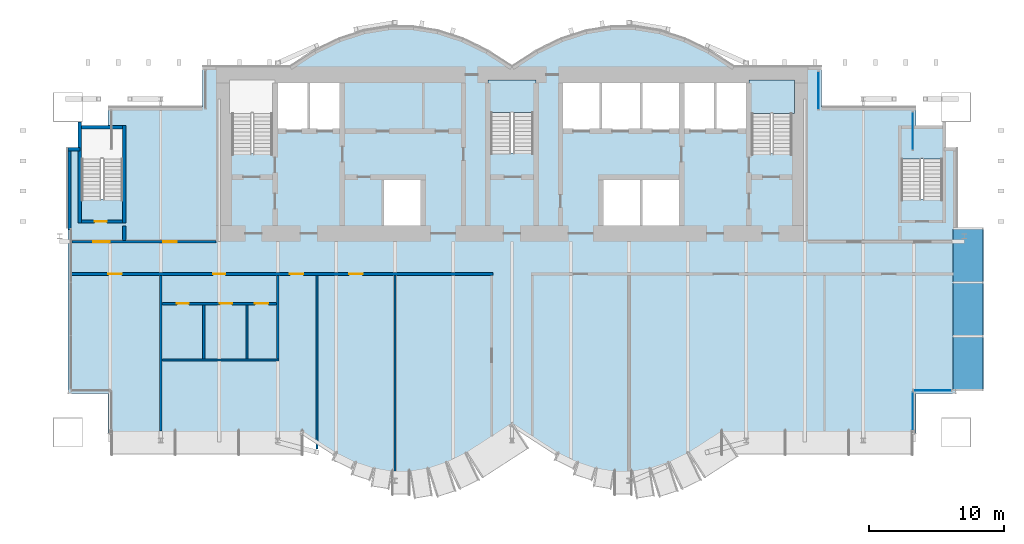
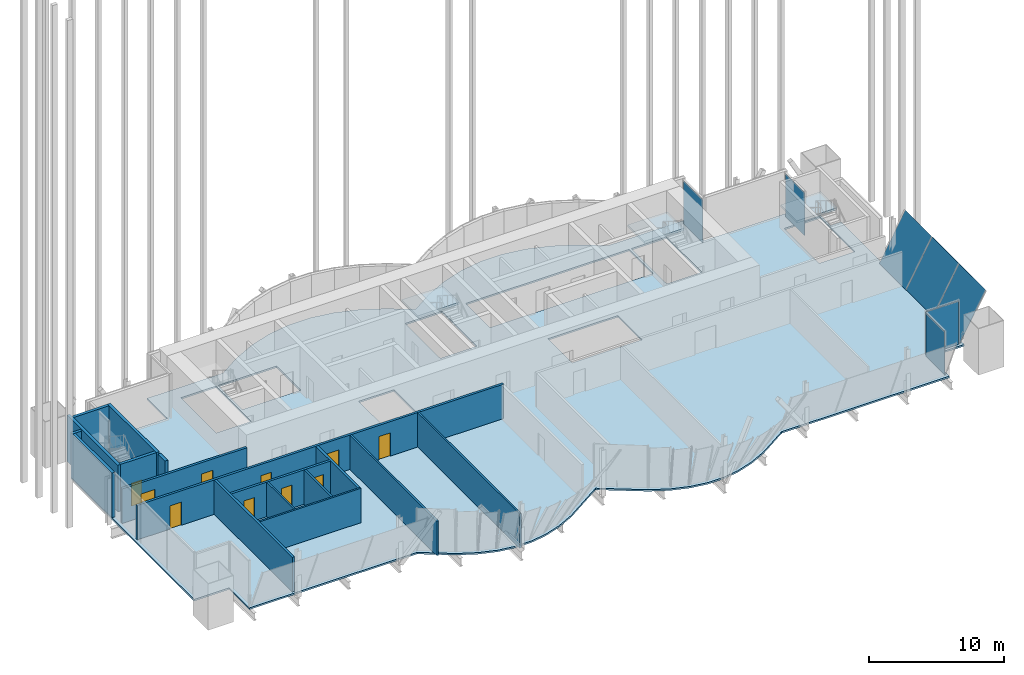
# One storey, part 23 of 28: 17 walls, 10 doors, 7 plates, 4 slabs, 10 openings, 8 elements without a shape of their own.
"""IFC4 building model written with IfcOpenShell, lengths in metres."""

from ifc_helpers import new_model, si_unit, direction, frame, frame_2d, origin, origin_2d, place, context, subcontext, project, spatial, polyline, rectangle, outline, extrude, material, layer, layer_set, layer_usage, type_object, element, fill, aggregate, save


model = new_model("IFC4")

# Units and contexts
model_context = context("Model", 3, precision=1e-05, world=origin(), true_north=direction((0.0, 1.0)))
body_context = subcontext(model_context, "Body", "Model", "MODEL_VIEW")
ifc_project = project(units=[si_unit("LENGTHUNIT", "METRE"), si_unit("AREAUNIT", "SQUARE_METRE"), si_unit("VOLUMEUNIT", "CUBIC_METRE"), si_unit("PLANEANGLEUNIT", "RADIAN"), si_unit("MASSUNIT", "GRAM", prefix="KILO")], contexts=[model_context])

# Site, building, storey
site_placement = place(None, origin())
site = spatial("IfcSite", under=ifc_project, at=site_placement, CompositionType="ELEMENT")
building_placement = place(site_placement, origin())
building = spatial("IfcBuilding", under=site, at=building_placement, Name="Bicima Exchange Tower", CompositionType="ELEMENT")
storey_placement = place(building_placement, frame((0.0, 0.0, 241.39990234375)))
storey = spatial("IfcBuildingStorey", under=building, at=storey_placement, Name="L54", CompositionType="ELEMENT", Elevation=241.39990234375)

# Slab
ifc_material_1 = material(Name="Concrete C40/50", Category="concrete")
ifc_layer_1 = layer(ifc_material_1, 0.14990234375)
ifc_layer_set_1 = layer_set([ifc_layer_1], Name="Concrete C40/50")
slab_type_1 = type_object("IfcSlabType", Name="Composite floor slab 150", PredefinedType="FLOOR", material=ifc_layer_set_1)
slab_1_placement = place(storey_placement, frame((0.0, 0.0, -0.14990234375)))
element("IfcSlab", 1, at=slab_1_placement, inside=storey, type_object=slab_type_1, Name="Floor slab", PredefinedType="FLOOR", context=body_context, shape_type="SweptSolid", body=[
    extrude(outline(polyline([(30.0, -27.2880859375), (15.61474609375, -27.2880859375), (13.1923828125, -28.85400390625), (11.712158203125, -29.57177734375), (10.295166015625, -30.02978515625), (8.92578125, -30.2509765625), (7.57421875, -30.2509765625), (6.204833984375, -30.02978515625), (4.787841796875, -29.57177734375), (3.3076171875, -28.85400390625), (0.0, -26.7158203125), (-3.3076171875, -28.85400390625), (-4.787841796875, -29.57177734375), (-6.204833984375, -30.02978515625), (-7.57421875, -30.2509765625), (-8.92578125, -30.2509765625), (-10.295166015625, -30.02978515625), (-11.712158203125, -29.57177734375), (-13.1923828125, -28.85400390625), (-15.61474609375, -27.2880859375), (-30.0, -27.2880859375), (-30.0, -24.2880859375), (-33.0, -24.2880859375), (-33.0, -6.0), (-32.10009765625, -6.0), (-32.10009765625, -4.5), (-30.0, -4.5), (-30.0, -3.0), (-23.0, -3.0), (-23.0, 0.0), (-16.5, 0.0), (-14.666748046875, 1.185302734375), (-12.833251953125, 2.07421875), (-11.0, 2.666748046875), (-9.166748046875, 2.962890625), (-7.333251953125, 2.962890625), (-5.5, 2.666748046875), (-3.666748046875, 2.07421875), (-1.833251953125, 1.185302734375), (0.0, 0.0), (1.833251953125, 1.185302734375), (3.666748046875, 2.07421875), (5.5, 2.666748046875), (7.333251953125, 2.962890625), (9.166748046875, 2.962890625), (11.0, 2.666748046875), (12.833251953125, 2.07421875), (14.666748046875, 1.185302734375), (16.5, 0.0), (23.0, 0.0), (23.0, -3.0), (30.0, -3.0), (30.0, -4.5), (32.10009765625, -4.5), (32.10009765625, -6.0), (33.0, -6.0), (33.0, -24.2880859375), (30.0, -24.2880859375), (30.0, -27.2880859375)]), holes=[polyline([(-6.60009765625, -11.800048828125), (-6.60009765625, -8.199951171875), (-9.60009765625, -8.199951171875), (-9.60009765625, -11.800048828125), (-6.60009765625, -11.800048828125)]), polyline([(-31.97509765625, -9.824951171875), (-28.925048828125, -9.824951171875), (-28.925048828125, -4.625), (-31.97509765625, -4.625), (-31.97509765625, -9.824951171875)]), polyline([(-20.800048828125, -6.449951171875), (-17.800048828125, -6.449951171875), (-17.800048828125, -1.199951171875), (-20.800048828125, -1.199951171875), (-20.800048828125, -6.449951171875)]), polyline([(-1.574951171875, -6.39990234375), (1.574951171875, -6.39990234375), (1.574951171875, -1.199951171875), (-1.574951171875, -1.199951171875), (-1.574951171875, -6.39990234375)]), polyline([(-17.60009765625, -1.199951171875), (-17.60009765625, -4.800048828125), (-15.10009765625, -4.800048828125), (-12.60009765625, -4.800048828125), (-12.60009765625, -1.199951171875), (-15.10009765625, -1.199951171875), (-17.60009765625, -1.199951171875)]), polyline([(3.60009765625, -4.800048828125), (6.60009765625, -4.800048828125), (9.60009765625, -4.800048828125), (12.60009765625, -4.800048828125), (15.10009765625, -4.800048828125), (17.60009765625, -4.800048828125), (17.60009765625, -1.199951171875), (15.10009765625, -1.199951171875), (12.60009765625, -1.199951171875), (9.60009765625, -1.199951171875), (6.60009765625, -1.199951171875), (3.60009765625, -1.199951171875), (3.60009765625, -4.800048828125)]), polyline([(6.60009765625, -8.199951171875), (6.60009765625, -11.800048828125), (9.60009765625, -11.800048828125), (12.60009765625, -11.800048828125), (12.60009765625, -8.199951171875), (9.60009765625, -8.199951171875), (6.60009765625, -8.199951171875)]), polyline([(28.925048828125, -9.824951171875), (31.97509765625, -9.824951171875), (31.97509765625, -4.625), (28.925048828125, -4.625), (28.925048828125, -9.824951171875)]), polyline([(17.800048828125, -6.449951171875), (20.800048828125, -6.449951171875), (20.800048828125, -1.199951171875), (17.800048828125, -1.199951171875), (17.800048828125, -6.449951171875)])]), origin(), (0.0, 0.0, 1.0), 0.14990234375),
])

# Curtain wall, plate
ifc_material_2 = material(Name="Anodised bronze aluminium", Category="aluminium")
curtain_wall_type = type_object("IfcCurtainWallType", Name="Front glass wall", PredefinedType="NOTDEFINED", material=ifc_material_2)
curtain_wall_1_placement = place(storey_placement, origin())
curtain_wall_1 = element("IfcCurtainWall", 2, at=curtain_wall_1_placement, inside=storey, type_object=curtain_wall_type, Name="Front glass wall L54 run 2", PredefinedType="NOTDEFINED")
ifc_material_3 = material(Name="Bronze tinted glass", Category="glass")
ifc_layer_2 = layer(ifc_material_3, 0.031982421875)
ifc_layer_set_2 = layer_set([ifc_layer_2], Name="Bronze tinted glass")
plate_type_1 = type_object("IfcPlateType", Name="Front glass wall glass panel 32", PredefinedType="CURTAIN_PANEL", material=ifc_layer_set_2)
plate_1_placement = place(storey_placement, frame((29.77001953125, -4.77001953125, 0.0), z_axis=(0.0, 0.0, 1.0), x_axis=(0.0, 1.0, 0.0)))
plate_1 = element("IfcPlate", 3, at=plate_1_placement, type_object=plate_type_1, Name="Front glass wall panel 1.1", PredefinedType="CURTAIN_PANEL", context=body_context, shape_type="SweptSolid", body=[
    extrude(rectangle(XDim=2.800048828125, YDim=0.031982421875, at=origin_2d()), origin(), (0.0, 0.0, 1.0), 3.909912109375),
])
aggregate(curtain_wall_1, [plate_1])

curtain_wall_2_placement = place(storey_placement, origin())
curtain_wall_2 = element("IfcCurtainWall", 4, at=curtain_wall_2_placement, inside=storey, type_object=curtain_wall_type, Name="Front glass wall L54 run 3", PredefinedType="NOTDEFINED")
plate_2_placement = place(storey_placement, frame((22.77001953125, -1.77001953125, 0.0), z_axis=(0.0, 0.0, 1.0), x_axis=(0.0, 1.0, 0.0)))
plate_2 = element("IfcPlate", 5, at=plate_2_placement, type_object=plate_type_1, Name="Front glass wall panel 1.1", PredefinedType="CURTAIN_PANEL", context=body_context, shape_type="SweptSolid", body=[
    extrude(rectangle(XDim=2.800048828125, YDim=0.031982421875, at=origin_2d()), origin(), (0.0, 0.0, 1.0), 3.909912109375),
])
aggregate(curtain_wall_2, [plate_2])

curtain_wall_3_placement = place(storey_placement, origin())
curtain_wall_3 = element("IfcCurtainWall", 6, at=curtain_wall_3_placement, inside=storey, type_object=curtain_wall_type, Name="Front glass wall L54 run 21", PredefinedType="NOTDEFINED")
plate_3_placement = place(storey_placement, frame((29.77001953125, -25.597900390625, 0.0), z_axis=(0.0, 0.0, 1.0), x_axis=(0.0, 1.0, 0.0)))
plate_3 = element("IfcPlate", 7, at=plate_3_placement, type_object=plate_type_1, Name="Front glass wall panel 1.1", PredefinedType="CURTAIN_PANEL", context=body_context, shape_type="SweptSolid", body=[
    extrude(rectangle(XDim=2.800048828125, YDim=0.031982421875, at=origin_2d()), origin(), (0.0, 0.0, 1.0), 3.909912109375),
])
aggregate(curtain_wall_3, [plate_3])

curtain_wall_4_placement = place(storey_placement, origin())
curtain_wall_4 = element("IfcCurtainWall", 8, at=curtain_wall_4_placement, inside=storey, type_object=curtain_wall_type, Name="Front glass wall L54 run 22", PredefinedType="NOTDEFINED")
plate_4_placement = place(storey_placement, frame((31.22998046875, -24.05810546875, 0.0), z_axis=(0.0, 0.0, 1.0), x_axis=(1.0, 0.0, 0.0)))
plate_4 = element("IfcPlate", 9, at=plate_4_placement, type_object=plate_type_1, Name="Front glass wall panel 1.1", PredefinedType="CURTAIN_PANEL", context=body_context, shape_type="SweptSolid", body=[
    extrude(rectangle(XDim=2.800048828125, YDim=0.031982421875, at=origin_2d()), origin(), (0.0, 0.0, 1.0), 3.909912109375),
])
aggregate(curtain_wall_4, [plate_4])

# Curtain wall, plates
curtain_wall_5_placement = place(storey_placement, origin())
curtain_wall_5 = element("IfcCurtainWall", 10, at=curtain_wall_5_placement, inside=storey, type_object=curtain_wall_type, Name="Canted glass wall L54 1.1", PredefinedType="NOTDEFINED")
ifc_material_4 = material(Name="Bronze anodised aluminium", Category="aluminium")
ifc_layer_3 = layer(ifc_material_4, 0.031982421875)
ifc_layer_set_3 = layer_set([ifc_layer_3], Name="Bronze anodised aluminium")
plate_type_2 = type_object("IfcPlateType", Name="Front glass wall spandrel panel 32", PredefinedType="CURTAIN_PANEL", material=ifc_layer_set_3)
plate_5_placement = place(storey_placement, frame((32.77001953125, -23.998046875, 0.0), z_axis=(-0.876660718455, 0.0, 0.481109119345), x_axis=(0.0, 1.0, 0.0)))
plate_5 = element("IfcPlate", 11, at=plate_5_placement, type_object=plate_type_2, Name="Canted glass panel 1", PredefinedType="CURTAIN_PANEL", context=body_context, shape_type="SweptSolid", body=[
    extrude(outline(polyline([(0.0, 0.0), (3.939453125, 0.0), (3.939453125, -4.61985890648846), (0.0, -4.61985890648846), (0.0, 0.0)])), origin(), (0.0, 0.0, -1.0), 0.031982421875),
])
plate_6_placement = place(storey_placement, frame((32.77001953125, -19.998779296875, 0.0), z_axis=(-0.876660718455, 0.0, 0.481109119345), x_axis=(0.0, 1.0, 0.0)))
plate_6 = element("IfcPlate", 12, at=plate_6_placement, type_object=plate_type_2, Name="Canted glass panel 2", PredefinedType="CURTAIN_PANEL", context=body_context, shape_type="SweptSolid", body=[
    extrude(outline(polyline([(0.0, 0.0), (3.939453125, 0.0), (3.939453125, -4.61985890648846), (0.0, -4.61985890648846), (0.0, 0.0)])), origin(), (0.0, 0.0, -1.0), 0.031982421875),
])
plate_7_placement = place(storey_placement, frame((32.77001953125, -15.999267578125, 0.0), z_axis=(-0.876660718455, 0.0, 0.481109119345), x_axis=(0.0, 1.0, 0.0)))
plate_7 = element("IfcPlate", 13, at=plate_7_placement, type_object=plate_type_2, Name="Canted glass panel 3", PredefinedType="CURTAIN_PANEL", context=body_context, shape_type="SweptSolid", body=[
    extrude(outline(polyline([(0.0, 0.0), (3.939208984375, 0.0), (3.939208984375, -4.61985890648846), (0.0, -4.61985890648846), (0.0, 0.0)])), origin(), (0.0, 0.0, -1.0), 0.031982421875),
])
aggregate(curtain_wall_5, [plate_5, plate_6, plate_7])

# Stair, slab
ifc_material_5 = material(Name="Concrete C50/60", Category="concrete")
stair_type_1 = type_object("IfcStairType", Name="Exit stair 1500", PredefinedType="HALF_TURN_STAIR", material=ifc_material_5)
stair_1_placement = place(storey_placement, origin())
stair_1 = element("IfcStair", 14, at=stair_1_placement, inside=storey, type_object=stair_type_1, Name="L54 Central exit stair", PredefinedType="HALF_TURN_STAIR")
ifc_layer_4 = layer(ifc_material_5, 0.199951171875)
ifc_layer_set_4 = layer_set([ifc_layer_4], Name="Concrete C50/60")
slab_type_2 = type_object("IfcSlabType", Name="Stair landing slab", PredefinedType="LANDING", material=ifc_layer_set_4)
slab_2_placement = place(storey_placement, frame((0.0, 0.0, 1.900146484375)))
slab_2 = element("IfcSlab", 15, at=slab_2_placement, type_object=slab_type_2, Name="ST-C landing 1", PredefinedType="LANDING", context=body_context, shape_type="SweptSolid", body=[
    extrude(outline(polyline([(1.77490234375, -3.419921875), (1.77490234375, -1.0), (-1.77490234375, -1.0), (-1.77490234375, -3.419921875), (1.77490234375, -3.419921875)])), origin(), (0.0, 0.0, 1.0), 0.199951171875),
])
aggregate(stair_1, [slab_2])

stair_type_2 = type_object("IfcStairType", Name="Exit stair", PredefinedType="HALF_TURN_STAIR", material=ifc_material_5)
stair_2_placement = place(storey_placement, origin())
stair_2 = element("IfcStair", 16, at=stair_2_placement, inside=storey, type_object=stair_type_2, Name="L54 East exit stair", PredefinedType="HALF_TURN_STAIR")
slab_3_placement = place(storey_placement, frame((0.0, 0.0, 1.900146484375)))
slab_3 = element("IfcSlab", 17, at=slab_3_placement, type_object=slab_type_2, Name="ST-E landing 1", PredefinedType="LANDING", context=body_context, shape_type="SweptSolid", body=[
    extrude(outline(polyline([(21.0, -3.469970703125), (21.0, -1.0), (17.60009765625, -1.0), (17.60009765625, -3.469970703125), (21.0, -3.469970703125)])), origin(), (0.0, 0.0, 1.0), 0.199951171875),
])
aggregate(stair_2, [slab_3])

stair_3_placement = place(storey_placement, origin())
stair_3 = element("IfcStair", 18, at=stair_3_placement, inside=storey, type_object=stair_type_2, Name="L54 East end exit stair", PredefinedType="HALF_TURN_STAIR")
slab_4_placement = place(storey_placement, frame((0.0, 0.0, 1.900146484375)))
slab_4 = element("IfcSlab", 19, at=slab_4_placement, type_object=slab_type_2, Name="ST-EE landing 1", PredefinedType="LANDING", context=body_context, shape_type="SweptSolid", body=[
    extrude(outline(polyline([(32.175048828125, -6.844970703125), (32.175048828125, -4.425048828125), (28.72509765625, -4.425048828125), (28.72509765625, -6.844970703125), (32.175048828125, -6.844970703125)])), origin(), (0.0, 0.0, 1.0), 0.199951171875),
])
aggregate(stair_3, [slab_4])

# Wall, openings, doors
ifc_material_6 = material(Name="Gypsum board partition")
ifc_layer_5 = layer(ifc_material_6, 0.199951171875)
ifc_layer_set_5 = layer_set([ifc_layer_5], Name="Gypsum board partition")
wall_type_1 = type_object("IfcWallType", Name="Fire-rated gypsum partition 200 EI60", PredefinedType="PARTITIONING", material=ifc_layer_set_5)
wall_1_placement = place(storey_placement, frame((-26.0, -17.60009765625, 0.0), z_axis=(0.0, 0.0, 1.0), x_axis=(1.0, 0.0, 0.0)))
wall_1 = element("IfcWall", 20, at=wall_1_placement, inside=storey, type_object=wall_type_1, Name="partition wall 2", PredefinedType="PARTITIONING", context=body_context, shape_type="SweptSolid", body=[
    extrude(rectangle(XDim=8.5, YDim=0.199951171875, at=frame_2d((4.25, 0.0))), origin(), (0.0, 0.0, 1.0), 3.1181640625),
])
opening_1_placement = place(wall_1_placement, frame((1.10009765625, 0.0, 0.0)))
opening_1 = element("IfcOpeningElement", 21, at=opening_1_placement, cuts=wall_1, Name="Opening L54-009", PredefinedType="OPENING", context=body_context, shape_type="SweptSolid", body=[
    extrude(rectangle(XDim=0.89990234375, YDim=2.10009765625, at=frame_2d((0.449951171875, 1.050048828125))), frame((0.0, 0.11181640625, 0.0), z_axis=(0.0, -1.0, 0.0), x_axis=(1.0, 0.0, 0.0)), (0.0, 0.0, 1.0), 0.223876953125),
])
opening_2_placement = place(wall_1_placement, frame((4.300048828125, 0.0, 0.0)))
opening_2 = element("IfcOpeningElement", 22, at=opening_2_placement, cuts=wall_1, Name="Opening L54-010", PredefinedType="OPENING", context=body_context, shape_type="SweptSolid", body=[
    extrude(rectangle(XDim=0.89990234375, YDim=2.10009765625, at=frame_2d((0.449951171875, 1.050048828125))), frame((0.0, 0.11181640625, 0.0), z_axis=(0.0, -1.0, 0.0), x_axis=(1.0, 0.0, 0.0)), (0.0, 0.0, 1.0), 0.223876953125),
])
opening_3_placement = place(wall_1_placement, frame((6.89990234375, 0.0, 0.0)))
opening_3 = element("IfcOpeningElement", 23, at=opening_3_placement, cuts=wall_1, Name="Opening L54-011", PredefinedType="OPENING", context=body_context, shape_type="SweptSolid", body=[
    extrude(rectangle(XDim=1.0, YDim=2.10009765625, at=frame_2d((0.5, 1.050048828125))), frame((0.0, 0.11181640625, 0.0), z_axis=(0.0, -1.0, 0.0), x_axis=(1.0, 0.0, 0.0)), (0.0, 0.0, 1.0), 0.223876953125),
])
ifc_material_7 = material(Name="Steel fire door leaf", Category="steel")
door_type_1 = type_object("IfcDoorType", Name="Door 1000 swing FD30S", OperationType="SINGLE_SWING_LEFT", PredefinedType="DOOR", material=ifc_material_7)
door_1_placement = place(opening_3_placement, frame((1.0, 0.0, 0.0), z_axis=(0.0, 0.0, 1.0), x_axis=(-1.0, 0.0, 0.0)))
door_1 = element("IfcDoor", 24, at=door_1_placement, inside=storey, type_object=door_type_1, Name="Door", OperationType="SINGLE_SWING_RIGHT", OverallHeight=2.10009765625, OverallWidth=1.0, PredefinedType="DOOR", context=body_context, shape_type="SweptSolid", body=[
    extrude(rectangle(XDim=1.0, YDim=2.10009765625, at=frame_2d((0.5, 1.050048828125))), frame((0.0, 0.02490234375, 0.0), z_axis=(0.0, -1.0, 0.0), x_axis=(1.0, 0.0, 0.0)), (0.0, 0.0, 1.0), 0.050048828125),
])
fill(opening_3, door_1)
door_type_2 = type_object("IfcDoorType", Name="Door 900 swing FD30S", OperationType="SINGLE_SWING_LEFT", PredefinedType="DOOR", material=ifc_material_7)
door_2_placement = place(opening_1_placement, frame((0.89990234375, 0.0, 0.0), z_axis=(0.0, 0.0, 1.0), x_axis=(-1.0, 0.0, 0.0)))
door_2 = element("IfcDoor", 25, at=door_2_placement, inside=storey, type_object=door_type_2, Name="Door", OperationType="SINGLE_SWING_RIGHT", OverallHeight=2.10009765625, OverallWidth=0.89990234375, PredefinedType="DOOR", context=body_context, shape_type="SweptSolid", body=[
    extrude(rectangle(XDim=0.89990234375, YDim=2.10009765625, at=frame_2d((0.449951171875, 1.050048828125))), frame((0.0, 0.02490234375, 0.0), z_axis=(0.0, -1.0, 0.0), x_axis=(1.0, 0.0, 0.0)), (0.0, 0.0, 1.0), 0.050048828125),
])
fill(opening_1, door_2)
door_3_placement = place(opening_2_placement, frame((0.89990234375, 0.0, 0.0), z_axis=(0.0, 0.0, 1.0), x_axis=(-1.0, 0.0, 0.0)))
door_3 = element("IfcDoor", 26, at=door_3_placement, inside=storey, type_object=door_type_2, Name="Door", OperationType="SINGLE_SWING_LEFT", OverallHeight=2.10009765625, OverallWidth=0.89990234375, PredefinedType="DOOR", context=body_context, shape_type="SweptSolid", body=[
    extrude(rectangle(XDim=0.89990234375, YDim=2.10009765625, at=frame_2d((0.449951171875, 1.050048828125))), frame((0.0, 0.02490234375, 0.0), z_axis=(0.0, -1.0, 0.0), x_axis=(1.0, 0.0, 0.0)), (0.0, 0.0, 1.0), 0.050048828125),
])
fill(opening_2, door_3)

wall_2_placement = place(storey_placement, frame((-32.7900390625, -15.39990234375, 0.0), z_axis=(0.0, 0.0, 1.0), x_axis=(1.0, 0.0, 0.0)))
wall_2 = element("IfcWall", 27, at=wall_2_placement, inside=storey, type_object=wall_type_1, Name="partition wall 3", PredefinedType="PARTITIONING", context=body_context, shape_type="SweptSolid", body=[
    extrude(rectangle(XDim=31.39013671875, YDim=0.199951171875, at=frame_2d((15.695068359375, 0.0))), origin(), (0.0, 0.0, 1.0), 3.1181640625),
])
opening_4_placement = place(wall_2_placement, frame((2.800048828125, 0.0, 0.0)))
opening_4 = element("IfcOpeningElement", 28, at=opening_4_placement, cuts=wall_2, Name="Opening L54-007", PredefinedType="OPENING", context=body_context, shape_type="SweptSolid", body=[
    extrude(rectangle(XDim=1.0, YDim=2.10009765625, at=frame_2d((0.5, 1.050048828125))), frame((0.0, 0.11181640625, 0.0), z_axis=(0.0, -1.0, 0.0), x_axis=(1.0, 0.0, 0.0)), (0.0, 0.0, 1.0), 0.223876953125),
])
opening_5_placement = place(wall_2_placement, frame((10.590087890625, 0.0, 0.0)))
opening_5 = element("IfcOpeningElement", 29, at=opening_5_placement, cuts=wall_2, Name="Opening L54-008", PredefinedType="OPENING", context=body_context, shape_type="SweptSolid", body=[
    extrude(rectangle(XDim=0.89990234375, YDim=2.10009765625, at=frame_2d((0.449951171875, 1.050048828125))), frame((0.0, 0.11181640625, 0.0), z_axis=(0.0, -1.0, 0.0), x_axis=(1.0, 0.0, 0.0)), (0.0, 0.0, 1.0), 0.223876953125),
])
opening_6_placement = place(wall_2_placement, frame((16.2900390625, 0.0, 0.0)))
opening_6 = element("IfcOpeningElement", 30, at=opening_6_placement, cuts=wall_2, Name="Opening L54-012", PredefinedType="OPENING", context=body_context, shape_type="SweptSolid", body=[
    extrude(rectangle(XDim=1.0, YDim=2.10009765625, at=frame_2d((0.5, 1.050048828125))), frame((0.0, 0.11181640625, 0.0), z_axis=(0.0, -1.0, 0.0), x_axis=(1.0, 0.0, 0.0)), (0.0, 0.0, 1.0), 0.223876953125),
])
opening_7_placement = place(wall_2_placement, frame((20.68994140625, 0.0, 0.0)))
opening_7 = element("IfcOpeningElement", 31, at=opening_7_placement, cuts=wall_2, Name="Opening L54-013", PredefinedType="OPENING", context=body_context, shape_type="SweptSolid", body=[
    extrude(rectangle(XDim=1.0, YDim=2.10009765625, at=frame_2d((0.5, 1.050048828125))), frame((0.0, 0.11181640625, 0.0), z_axis=(0.0, -1.0, 0.0), x_axis=(1.0, 0.0, 0.0)), (0.0, 0.0, 1.0), 0.223876953125),
])
door_4_placement = place(opening_4_placement, frame((1.0, 0.0, 0.0), z_axis=(0.0, 0.0, 1.0), x_axis=(-1.0, 0.0, 0.0)))
door_4 = element("IfcDoor", 32, at=door_4_placement, inside=storey, type_object=door_type_1, Name="Door", OperationType="SINGLE_SWING_LEFT", OverallHeight=2.10009765625, OverallWidth=1.0, PredefinedType="DOOR", context=body_context, shape_type="SweptSolid", body=[
    extrude(rectangle(XDim=1.0, YDim=2.10009765625, at=frame_2d((0.5, 1.050048828125))), frame((0.0, 0.02490234375, 0.0), z_axis=(0.0, -1.0, 0.0), x_axis=(1.0, 0.0, 0.0)), (0.0, 0.0, 1.0), 0.050048828125),
])
fill(opening_4, door_4)
door_5_placement = place(opening_6_placement, frame((1.0, 0.0, 0.0), z_axis=(0.0, 0.0, 1.0), x_axis=(-1.0, 0.0, 0.0)))
door_5 = element("IfcDoor", 33, at=door_5_placement, inside=storey, type_object=door_type_1, Name="Door", OperationType="SINGLE_SWING_RIGHT", OverallHeight=2.10009765625, OverallWidth=1.0, PredefinedType="DOOR", context=body_context, shape_type="SweptSolid", body=[
    extrude(rectangle(XDim=1.0, YDim=2.10009765625, at=frame_2d((0.5, 1.050048828125))), frame((0.0, 0.02490234375, 0.0), z_axis=(0.0, -1.0, 0.0), x_axis=(1.0, 0.0, 0.0)), (0.0, 0.0, 1.0), 0.050048828125),
])
fill(opening_6, door_5)
door_6_placement = place(opening_7_placement, frame((1.0, 0.0, 0.0), z_axis=(0.0, 0.0, 1.0), x_axis=(-1.0, 0.0, 0.0)))
door_6 = element("IfcDoor", 34, at=door_6_placement, inside=storey, type_object=door_type_1, Name="Door", OperationType="SINGLE_SWING_LEFT", OverallHeight=2.10009765625, OverallWidth=1.0, PredefinedType="DOOR", context=body_context, shape_type="SweptSolid", body=[
    extrude(rectangle(XDim=1.0, YDim=2.10009765625, at=frame_2d((0.5, 1.050048828125))), frame((0.0, 0.02490234375, 0.0), z_axis=(0.0, -1.0, 0.0), x_axis=(1.0, 0.0, 0.0)), (0.0, 0.0, 1.0), 0.050048828125),
])
fill(opening_7, door_6)
door_7_placement = place(opening_5_placement, frame((0.89990234375, 0.0, 0.0), z_axis=(0.0, 0.0, 1.0), x_axis=(-1.0, 0.0, 0.0)))
door_7 = element("IfcDoor", 35, at=door_7_placement, inside=storey, type_object=door_type_2, Name="Door", OperationType="SINGLE_SWING_RIGHT", OverallHeight=2.10009765625, OverallWidth=0.89990234375, PredefinedType="DOOR", context=body_context, shape_type="SweptSolid", body=[
    extrude(rectangle(XDim=0.89990234375, YDim=2.10009765625, at=frame_2d((0.449951171875, 1.050048828125))), frame((0.0, 0.02490234375, 0.0), z_axis=(0.0, -1.0, 0.0), x_axis=(1.0, 0.0, 0.0)), (0.0, 0.0, 1.0), 0.050048828125),
])
fill(opening_5, door_7)

wall_3_placement = place(storey_placement, frame((-32.699951171875, -13.0, 0.0), z_axis=(0.0, 0.0, 1.0), x_axis=(1.0, 0.0, 0.0)))
wall_3 = element("IfcWall", 36, at=wall_3_placement, inside=storey, type_object=wall_type_1, Name="partition wall 5", PredefinedType="PARTITIONING", context=body_context, shape_type="SweptSolid", body=[
    extrude(rectangle(XDim=10.699951171875, YDim=0.199951171875, at=frame_2d((5.35009765625, 0.0))), origin(), (0.0, 0.0, 1.0), 3.1181640625),
])
opening_8_placement = place(wall_3_placement, frame((1.60009765625, 0.0, 0.0)))
opening_8 = element("IfcOpeningElement", 37, at=opening_8_placement, cuts=wall_3, Name="Opening L54-001", PredefinedType="OPENING", context=body_context, shape_type="SweptSolid", body=[
    extrude(rectangle(XDim=1.199951171875, YDim=2.10009765625, at=frame_2d((0.60009765625, 1.050048828125))), frame((0.0, 0.11181640625, 0.0), z_axis=(0.0, -1.0, 0.0), x_axis=(1.0, 0.0, 0.0)), (0.0, 0.0, 1.0), 0.223876953125),
])
opening_9_placement = place(wall_3_placement, frame((6.800048828125, 0.0, 0.0)))
opening_9 = element("IfcOpeningElement", 38, at=opening_9_placement, cuts=wall_3, Name="Opening L54-005", PredefinedType="OPENING", context=body_context, shape_type="SweptSolid", body=[
    extrude(rectangle(XDim=1.0, YDim=2.10009765625, at=frame_2d((0.5, 1.050048828125))), frame((0.0, 0.11181640625, 0.0), z_axis=(0.0, -1.0, 0.0), x_axis=(1.0, 0.0, 0.0)), (0.0, 0.0, 1.0), 0.223876953125),
])
door_8_placement = place(opening_9_placement, origin())
door_8 = element("IfcDoor", 39, at=door_8_placement, inside=storey, type_object=door_type_1, Name="Door", OperationType="SINGLE_SWING_LEFT", OverallHeight=2.10009765625, OverallWidth=1.0, PredefinedType="DOOR", context=body_context, shape_type="SweptSolid", body=[
    extrude(rectangle(XDim=1.0, YDim=2.10009765625, at=frame_2d((0.5, 1.050048828125))), frame((0.0, 0.02490234375, 0.0), z_axis=(0.0, -1.0, 0.0), x_axis=(1.0, 0.0, 0.0)), (0.0, 0.0, 1.0), 0.050048828125),
])
fill(opening_9, door_8)
door_type_3 = type_object("IfcDoorType", Name="Door 1200 swing FD30S", OperationType="SINGLE_SWING_LEFT", PredefinedType="DOOR", material=ifc_material_7)
door_9_placement = place(opening_8_placement, origin())
door_9 = element("IfcDoor", 40, at=door_9_placement, inside=storey, type_object=door_type_3, Name="Door", OperationType="SINGLE_SWING_LEFT", OverallHeight=2.10009765625, OverallWidth=1.199951171875, PredefinedType="DOOR", context=body_context, shape_type="SweptSolid", body=[
    extrude(rectangle(XDim=1.199951171875, YDim=2.10009765625, at=frame_2d((0.60009765625, 1.050048828125))), frame((0.0, 0.02490234375, 0.0), z_axis=(0.0, -1.0, 0.0), x_axis=(1.0, 0.0, 0.0)), (0.0, 0.0, 1.0), 0.050048828125),
])
fill(opening_8, door_9)

# Walls
wall_4_placement = place(storey_placement, frame((-26.10009765625, -27.080078125, 0.0), z_axis=(0.0, 0.0, 1.0), x_axis=(0.0, 1.0, 0.0)))
element("IfcWall", 41, at=wall_4_placement, inside=storey, type_object=wall_type_1, Name="partition wall 16", PredefinedType="PARTITIONING", context=body_context, shape_type="SweptSolid", body=[
    extrude(rectangle(XDim=11.580078125, YDim=0.199951171875, at=frame_2d((5.7900390625, 0.0))), origin(), (0.0, 0.0, 1.0), 3.1181640625),
])
wall_5_placement = place(storey_placement, frame((-17.39990234375, -21.72509765625, 0.0), z_axis=(0.0, 0.0, 1.0), x_axis=(0.0, 1.0, 0.0)))
element("IfcWall", 42, at=wall_5_placement, inside=storey, type_object=wall_type_1, Name="partition wall 19", PredefinedType="PARTITIONING", context=body_context, shape_type="SweptSolid", body=[
    extrude(rectangle(XDim=6.22509765625, YDim=0.199951171875, at=frame_2d((3.112548828125, 0.0))), origin(), (0.0, 0.0, 1.0), 3.1181640625),
])
ifc_layer_6 = layer(ifc_material_6, 0.14990234375)
ifc_layer_set_6 = layer_set([ifc_layer_6], Name="Gypsum board partition")
wall_type_2 = type_object("IfcWallType", Name="Gypsum partition 150", PredefinedType="PARTITIONING", material=ifc_layer_set_6)
wall_6_placement = place(storey_placement, frame((-26.0, -21.800048828125, 0.0), z_axis=(0.0, 0.0, 1.0), x_axis=(1.0, 0.0, 0.0)))
element("IfcWall", 43, at=wall_6_placement, inside=storey, type_object=wall_type_2, Name="partition wall 1", PredefinedType="PARTITIONING", context=body_context, shape_type="SweptSolid", body=[
    extrude(rectangle(XDim=8.699951171875, YDim=0.14990234375, at=frame_2d((4.35009765625, 0.0))), origin(), (0.0, 0.0, 1.0), 3.1181640625),
])
for number, where, z_axis, x_axis, name in (
    (44, (-22.89990234375, -21.72509765625, 0.0), (0.0, 0.0, 1.0), (0.0, 1.0, 0.0), "partition wall 17"),
    (45, (-19.699951171875, -21.72509765625, 0.0), (0.0, 0.0, 1.0), (0.0, 1.0, 0.0), "partition wall 18"),
):
    element("IfcWall", number, at=place(storey_placement, frame(where, z_axis=z_axis, x_axis=x_axis)), inside=storey, type_object=wall_type_2, Name=name, PredefinedType="PARTITIONING", context=body_context, shape_type="SweptSolid", body=[
        extrude(rectangle(XDim=4.025146484375, YDim=0.14990234375, at=frame_2d((2.0126953125, 0.0))), origin(), (0.0, 0.0, 1.0), 3.1181640625),
    ])
wall_7_placement = place(storey_placement, frame((-14.5, -28.405029296875, 0.0), z_axis=(0.0, 0.0, 1.0), x_axis=(0.0, 1.0, 0.0)))
element("IfcWall", 46, at=wall_7_placement, inside=storey, type_object=wall_type_2, Name="partition wall 20", PredefinedType="PARTITIONING", context=body_context, shape_type="SweptSolid", body=[
    extrude(rectangle(XDim=12.905029296875, YDim=0.14990234375, at=frame_2d((6.45263671875, 0.0))), origin(), (0.0, 0.0, 1.0), 3.1181640625),
])
wall_8_placement = place(storey_placement, frame((-8.699951171875, -30.63330078125, 0.0), z_axis=(0.0, 0.0, 1.0), x_axis=(0.0, 1.0, 0.0)))
element("IfcWall", 47, at=wall_8_placement, inside=storey, type_object=wall_type_2, Name="partition wall 21", PredefinedType="PARTITIONING", context=body_context, shape_type="SweptSolid", body=[
    extrude(rectangle(XDim=15.13330078125, YDim=0.14990234375, at=frame_2d((7.566650390625, 0.0))), origin(), (0.0, 0.0, 1.0), 3.1181640625),
])
ifc_layer_7 = layer(ifc_material_5, 0.25)
ifc_layer_set_7 = layer_set([ifc_layer_7], Name="Concrete C50/60")
wall_type_3 = type_object("IfcWallType", Name="RC core wall 250 C50/60", PredefinedType="SHEAR", material=ifc_layer_set_7)
wall_9_placement = place(storey_placement, frame((-28.800048828125, -12.89990234375, 0.0), z_axis=(0.0, 0.0, 1.0), x_axis=(0.0, 1.0, 0.0)))
element("IfcWall", 48, at=wall_9_placement, inside=storey, type_object=wall_type_3, Name="stair wall 15", PredefinedType="SHEAR", context=body_context, shape_type="SweptSolid", body=[
    extrude(rectangle(XDim=1.0498046875, YDim=0.25, at=frame_2d((0.52490234375, 0.0))), origin(), (0.0, 0.0, 1.0), 4.2001953125),
])
ifc_layer_8 = layer(ifc_material_5, 0.25)
ifc_layer_set_8 = layer_set([ifc_layer_8], Name="Concrete C50/60")
wall_type_4 = type_object("IfcWallType", Name="RC stair enclosure wall 250 C50/60", PredefinedType="SHEAR", material=ifc_layer_set_8)
wall_10_placement = place(storey_placement, frame((-32.10009765625, -11.625, 0.0), z_axis=(0.0, 0.0, 1.0), x_axis=(0.0, 1.0, 0.0)))
element("IfcWall", 49, at=wall_10_placement, inside=storey, type_object=wall_type_4, Name="West end exit stair wall W", PredefinedType="SHEAR", context=body_context, shape_type="SweptSolid", body=[
    extrude(rectangle(XDim=7.52490234375, YDim=0.25, at=frame_2d((3.762451171875, 0.0))), origin(), (0.0, 0.0, 1.0), 4.2001953125),
])
wall_11_placement = place(storey_placement, frame((-28.800048828125, -11.625, 0.0), z_axis=(0.0, 0.0, 1.0), x_axis=(0.0, 1.0, 0.0)))
element("IfcWall", 50, at=wall_11_placement, inside=storey, type_object=wall_type_4, Name="West end exit stair wall E", PredefinedType="SHEAR", context=body_context, shape_type="SweptSolid", body=[
    extrude(rectangle(XDim=7.25, YDim=0.25, at=frame_2d((3.625, 0.0))), origin(), (0.0, 0.0, 1.0), 4.2001953125),
])

# Wall, opening, door
wall_12_placement = place(storey_placement, frame((-31.97509765625, -11.5, 0.0), z_axis=(0.0, 0.0, 1.0), x_axis=(1.0, 0.0, 0.0)))
wall_12 = element("IfcWall", 51, at=wall_12_placement, inside=storey, type_object=wall_type_4, Name="West end exit stair wall S", PredefinedType="SHEAR", context=body_context, shape_type="SweptSolid", body=[
    extrude(rectangle(XDim=3.050048828125, YDim=0.25, at=frame_2d((1.52490234375, 0.0))), origin(), (0.0, 0.0, 1.0), 4.2001953125),
])
opening_10_placement = place(wall_12_placement, frame((0.97509765625, 0.0, 0.0)))
opening_10 = element("IfcOpeningElement", 52, at=opening_10_placement, cuts=wall_12, Name="Opening L54-002", PredefinedType="OPENING", context=body_context, shape_type="SweptSolid", body=[
    extrude(rectangle(XDim=0.89990234375, YDim=2.10009765625, at=frame_2d((0.449951171875, 1.050048828125))), frame((0.0, 0.136962890625, 0.0), z_axis=(0.0, -1.0, 0.0), x_axis=(1.0, 0.0, 0.0)), (0.0, 0.0, 1.0), 0.27392578125),
])
door_type_4 = type_object("IfcDoorType", Name="Door 900 swing FD60S", OperationType="SINGLE_SWING_LEFT", PredefinedType="DOOR", material=ifc_material_7)
door_10_placement = place(opening_10_placement, origin())
door_10 = element("IfcDoor", 53, at=door_10_placement, inside=storey, type_object=door_type_4, Name="Door", OperationType="SINGLE_SWING_LEFT", OverallHeight=2.10009765625, OverallWidth=0.89990234375, PredefinedType="DOOR", context=body_context, shape_type="SweptSolid", body=[
    extrude(rectangle(XDim=0.89990234375, YDim=2.10009765625, at=frame_2d((0.449951171875, 1.050048828125))), frame((0.0, 0.02490234375, 0.0), z_axis=(0.0, -1.0, 0.0), x_axis=(1.0, 0.0, 0.0)), (0.0, 0.0, 1.0), 0.050048828125),
])
fill(opening_10, door_10)

# Walls
wall_13_placement = place(storey_placement, frame((-31.97509765625, -4.5, 0.0), z_axis=(0.0, 0.0, 1.0), x_axis=(1.0, 0.0, 0.0)))
element("IfcWall", 54, at=wall_13_placement, inside=storey, type_object=wall_type_4, Name="West end exit stair wall N", PredefinedType="SHEAR", context=body_context, shape_type="SweptSolid", body=[
    extrude(rectangle(XDim=3.050048828125, YDim=0.25, at=frame_2d((1.52490234375, 0.0))), origin(), (0.0, 0.0, 1.0), 4.2001953125),
])
ifc_layer_9 = layer(ifc_material_1, 0.25)
ifc_layer_set_9 = layer_set([ifc_layer_9], Name="Concrete C40/50")
ifc_layer_usage = layer_usage(ifc_layer_set_9, "AXIS2", "POSITIVE", -0.125)
wall_type_5 = type_object("IfcWallType", Name="Rear backup wall 250", PredefinedType="STANDARD", material=ifc_layer_set_9)
wall_14_placement = place(storey_placement, frame((-32.110107421875, -6.125, 0.0), z_axis=(0.0, 0.0, 1.0), x_axis=(-1.0, 0.0, 0.0)))
element("IfcWall", 55, at=wall_14_placement, inside=storey, type_object=wall_type_5, material=ifc_layer_usage, Name="Rear backup wall L54 30", PredefinedType="STANDARD", context=body_context, shape_type="SweptSolid", body=[
    extrude(rectangle(XDim=0.889892578125, YDim=0.25, at=frame_2d((0.44482421875, 0.0))), origin(), (0.0, 0.0, 1.0), 4.050048828125),
])
wall_15_placement = place(storey_placement, frame((-32.875, -6.0, 0.0), z_axis=(0.0, 0.0, 1.0), x_axis=(0.0, -1.0, 0.0)))
element("IfcWall", 56, at=wall_15_placement, inside=storey, type_object=wall_type_5, material=ifc_layer_usage, Name="Rear backup wall L54 31", PredefinedType="STANDARD", context=body_context, shape_type="SweptSolid", body=[
    extrude(rectangle(XDim=6.090087890625, YDim=0.25, at=frame_2d((3.044921875, 0.0))), origin(), (0.0, 0.0, 1.0), 4.050048828125),
])

save(model, "model.ifc")
